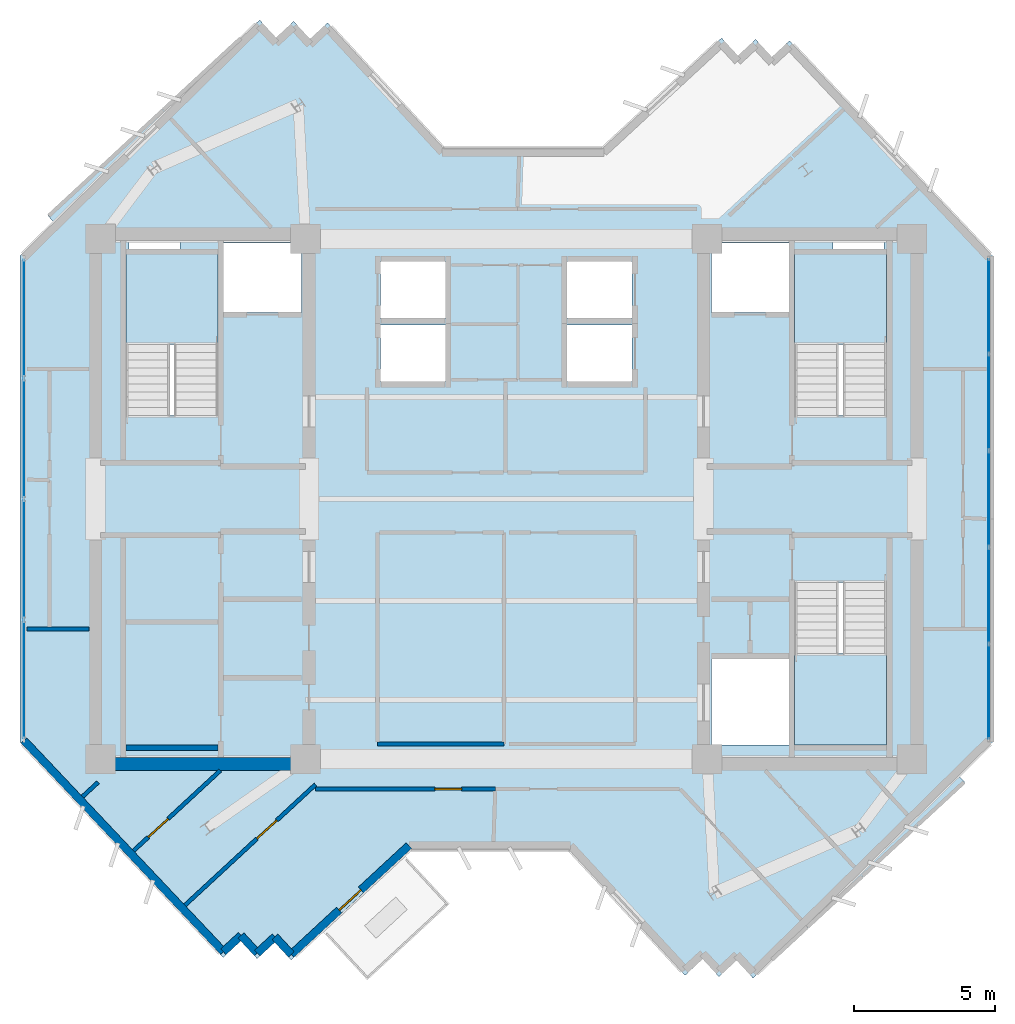
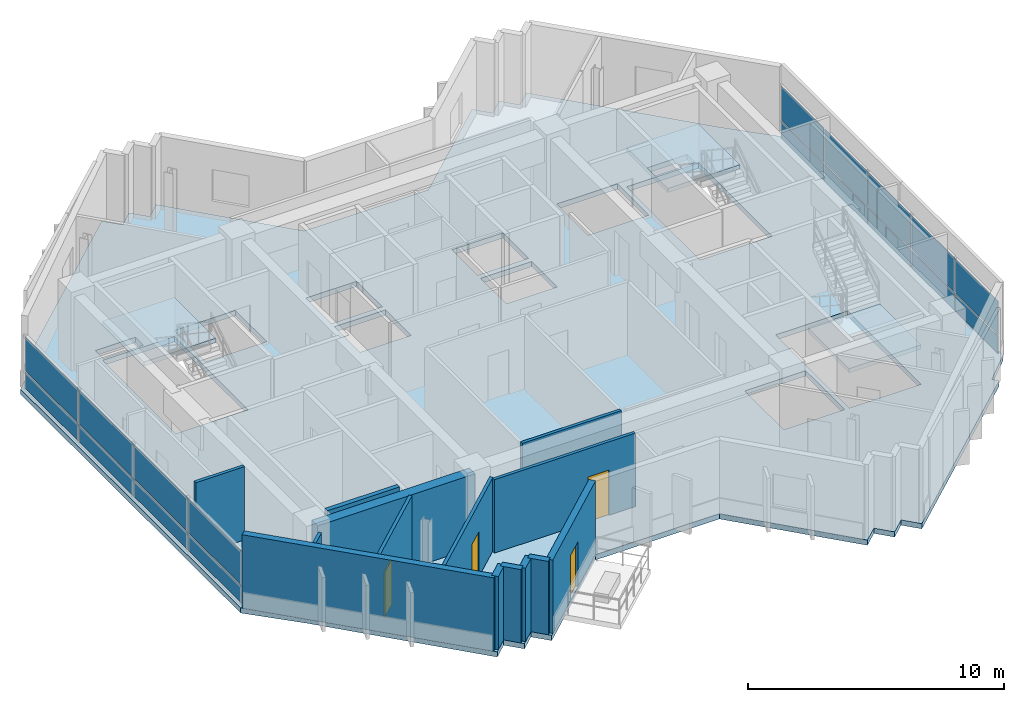
# One storey, part 3 of 9: 18 plates, 14 walls, 4 doors, 4 slabs, 4 openings, 5 elements without a shape of their own.
"""IFC4 building model written with IfcOpenShell, lengths in metres."""

from ifc_helpers import new_model, si_unit, direction, frame, frame_2d, origin, origin_2d, place, context, subcontext, project, spatial, polyline, rectangle, outline, extrude, source, transform, mapped, material, layer, layer_set, type_object, element, fill, aggregate, save


model = new_model("IFC4")

# Units and contexts
model_context = context("Model", 3, precision=1e-05, world=origin(), true_north=direction((0.0, 1.0)))
body_context = subcontext(model_context, "Body", "Model", "MODEL_VIEW")
ifc_project = project(units=[si_unit("LENGTHUNIT", "METRE"), si_unit("AREAUNIT", "SQUARE_METRE"), si_unit("VOLUMEUNIT", "CUBIC_METRE"), si_unit("PLANEANGLEUNIT", "RADIAN"), si_unit("MASSUNIT", "GRAM", prefix="KILO")], contexts=[model_context])

# Site, building, storey
site_placement = place(None, origin())
site = spatial("IfcSite", under=ifc_project, at=site_placement, CompositionType="ELEMENT")
building_placement = place(site_placement, origin())
building = spatial("IfcBuilding", under=site, at=building_placement, Name="Zahravan Cultural Tower", CompositionType="ELEMENT")
storey_placement = place(building_placement, frame((0.0, 0.0, 295.35009765625)))
storey = spatial("IfcBuildingStorey", under=building, at=storey_placement, Name="L71", CompositionType="ELEMENT", Elevation=295.35009765625)

# Stair, slab
ifc_material_1 = material(Name="Concrete C45/55", Category="concrete")
stair_type = type_object("IfcStairType", Name="STR-DL-1550-375", PredefinedType="HALF_TURN_STAIR", material=ifc_material_1)
stair_1_placement = place(storey_placement, origin())
stair_1 = element("IfcStair", 1, at=stair_1_placement, inside=storey, type_object=stair_type, Name="L71 West Core North Exit Stair ST-W1", PredefinedType="HALF_TURN_STAIR")
ifc_layer_1 = layer(ifc_material_1, 0.199951171875)
ifc_layer_set_1 = layer_set([ifc_layer_1], Name="Concrete C45/55")
slab_type_1 = type_object("IfcSlabType", Name="SL-STAIR-LND200", PredefinedType="LANDING", material=ifc_layer_set_1)
slab_1_placement = place(storey_placement, frame((0.0, 0.0, 1.6748046875)))
slab_1 = element("IfcSlab", 2, at=slab_1_placement, type_object=slab_type_1, Name="ST-W1 landing 1", PredefinedType="LANDING", context=body_context, shape_type="SweptSolid", body=[
    extrude(outline(polyline([(25.800048828125, 32.469970703125), (25.800048828125, 35.699951171875), (22.550048828125, 35.699951171875), (22.550048828125, 32.469970703125), (25.800048828125, 32.469970703125)])), origin(), (0.0, 0.0, 1.0), 0.2001953125),
])
aggregate(stair_1, [slab_1])

stair_2_placement = place(storey_placement, origin())
stair_2 = element("IfcStair", 3, at=stair_2_placement, inside=storey, type_object=stair_type, Name="L71 East Core North Exit Stair ST-E1", PredefinedType="HALF_TURN_STAIR")
slab_2_placement = place(storey_placement, frame((0.0, 0.0, 1.6748046875)))
slab_2 = element("IfcSlab", 4, at=slab_2_placement, type_object=slab_type_1, Name="ST-E1 landing 1", PredefinedType="LANDING", context=body_context, shape_type="SweptSolid", body=[
    extrude(outline(polyline([(49.449951171875, 32.469970703125), (49.449951171875, 35.699951171875), (46.199951171875, 35.699951171875), (46.199951171875, 32.469970703125), (49.449951171875, 32.469970703125)])), origin(), (0.0, 0.0, 1.0), 0.2001953125),
])
aggregate(stair_2, [slab_2])

stair_3_placement = place(storey_placement, origin())
stair_3 = element("IfcStair", 5, at=stair_3_placement, inside=storey, type_object=stair_type, Name="L71 East Core South Exit Stair ST-E2", PredefinedType="HALF_TURN_STAIR")
slab_3_placement = place(storey_placement, frame((0.0, 0.0, 1.6748046875)))
slab_3 = element("IfcSlab", 6, at=slab_3_placement, type_object=slab_type_1, Name="ST-E2 landing 1", PredefinedType="LANDING", context=body_context, shape_type="SweptSolid", body=[
    extrude(outline(polyline([(46.199951171875, 21.530029296875), (46.199951171875, 18.300048828125), (49.449951171875, 18.300048828125), (49.449951171875, 21.530029296875), (46.199951171875, 21.530029296875)])), origin(), (0.0, 0.0, 1.0), 0.2001953125),
])
aggregate(stair_3, [slab_3])

# Slab
ifc_material_2 = material(Name="Concrete C40/50", Category="concrete")
ifc_layer_2 = layer(ifc_material_2, 0.25)
ifc_layer_set_2 = layer_set([ifc_layer_2], Name="Concrete C40/50")
slab_type_2 = type_object("IfcSlabType", Name="SL-TYP-250", PredefinedType="FLOOR", material=ifc_layer_set_2)
slab_4_placement = place(storey_placement, frame((0.0, 0.0, -0.25)))
element("IfcSlab", 7, at=slab_4_placement, inside=storey, type_object=slab_type_2, Name="L71 Structural Floor Slab", PredefinedType="FLOOR", context=body_context, shape_type="SweptSolid", body=[
    extrude(outline(polyline([(39.391845703125, 39.39990234375), (33.79345703125, 39.39990234375), (29.6796875, 43.847900390625), (29.0556640625, 43.270751953125), (28.478515625, 43.894775390625), (27.8544921875, 43.3173828125), (27.27734375, 43.94140625), (19.789306640625, 37.015625), (19.994140625, 36.794189453125), (18.800048828125, 35.60009765625), (18.800048828125, 18.39990234375), (20.731689453125, 16.46826171875), (25.984375, 10.789306640625), (26.6083984375, 11.366455078125), (27.185546875, 10.742431640625), (27.8095703125, 11.319580078125), (28.38671875, 10.695556640625), (32.608154296875, 14.60009765625), (38.20654296875, 14.60009765625), (42.3203125, 10.152099609375), (42.9443359375, 10.729248046875), (43.521484375, 10.105224609375), (44.1455078125, 10.6826171875), (44.72265625, 10.05859375), (52.210693359375, 16.984375), (52.005859375, 17.205810546875), (53.199951171875, 18.39990234375), (53.199951171875, 35.60009765625), (51.268310546875, 37.53173828125), (46.015625, 43.210693359375), (45.3916015625, 42.633544921875), (44.814453125, 43.257568359375), (44.1904296875, 42.680419921875), (43.61328125, 43.304443359375), (39.391845703125, 39.39990234375)]), holes=[polyline([(22.550048828125, 29.949951171875), (22.550048828125, 35.699951171875), (25.800048828125, 35.699951171875), (25.800048828125, 29.949951171875), (22.550048828125, 29.949951171875)]), polyline([(46.199951171875, 29.949951171875), (46.199951171875, 35.699951171875), (49.449951171875, 35.699951171875), (49.449951171875, 29.949951171875), (46.199951171875, 29.949951171875)]), polyline([(46.199951171875, 18.300048828125), (46.199951171875, 24.050048828125), (49.449951171875, 24.050048828125), (49.449951171875, 18.300048828125), (46.199951171875, 18.300048828125)]), polyline([(26.0, 33.60009765625), (26.0, 36.050048828125), (28.75, 36.050048828125), (28.75, 33.60009765625), (26.0, 33.60009765625)]), polyline([(43.25, 33.60009765625), (43.25, 36.050048828125), (46.0, 36.050048828125), (46.0, 33.60009765625), (43.25, 33.60009765625)]), polyline([(43.25, 18.300048828125), (43.25, 21.35009765625), (46.0, 21.35009765625), (46.0, 18.300048828125), (43.25, 18.300048828125)]), polyline([(31.550048828125, 33.39990234375), (31.550048828125, 35.39990234375), (33.85009765625, 35.39990234375), (33.85009765625, 33.39990234375), (31.550048828125, 33.39990234375)]), polyline([(31.550048828125, 31.14990234375), (31.550048828125, 33.14990234375), (33.85009765625, 33.14990234375), (33.85009765625, 31.14990234375), (31.550048828125, 31.14990234375)]), polyline([(38.14990234375, 33.39990234375), (38.14990234375, 35.39990234375), (40.449951171875, 35.39990234375), (40.449951171875, 33.39990234375), (38.14990234375, 33.39990234375)]), polyline([(38.14990234375, 31.14990234375), (38.14990234375, 33.14990234375), (40.449951171875, 33.14990234375), (40.449951171875, 31.14990234375), (38.14990234375, 31.14990234375)]), polyline([(22.64990234375, 35.800048828125), (22.64990234375, 36.419921875), (24.449951171875, 36.419921875), (24.449951171875, 35.800048828125), (22.64990234375, 35.800048828125)]), polyline([(47.550048828125, 35.800048828125), (47.550048828125, 36.419921875), (49.35009765625, 36.419921875), (49.35009765625, 35.800048828125), (47.550048828125, 35.800048828125)])]), origin(), (0.0, 0.0, 1.0), 0.25),
])

# Curtain wall, plates
ifc_material_3 = material(Name="Anodised bronze-aluminium mullion", Category="aluminium")
ifc_layer_3 = layer(ifc_material_3, 0.1650390625)
ifc_layer_set_3 = layer_set([ifc_layer_3], Name="Anodised bronze-aluminium mullion")
curtain_wall_type_1 = type_object("IfcCurtainWallType", Name="CW-SYS-4", PredefinedType="USERDEFINED", material=ifc_layer_set_3)
curtain_wall_1_placement = place(storey_placement, origin())
curtain_wall_1 = element("IfcCurtainWall", 8, at=curtain_wall_1_placement, inside=storey, type_object=curtain_wall_type_1, Name="L71 Recessed Curtain Wall CW-4.1", ObjectType="RECESSED GLAZING", PredefinedType="USERDEFINED")
ifc_material_4 = material(Name="Low-E solar-control double glazing", Category="glass")
ifc_layer_4 = layer(ifc_material_4, 0.02587890625)
ifc_layer_set_4 = layer_set([ifc_layer_4], Name="Low-E solar-control double glazing")
plate_type_1 = type_object("IfcPlateType", Name="CWP-CW-4", PredefinedType="CURTAIN_PANEL", material=ifc_layer_set_4)
shared_shape_1 = source(origin(), body_context, "Body", "SweptSolid", [
    extrude(rectangle(XDim=3.3193359375, YDim=0.02587890625, at=origin_2d()), origin(), (0.0, 0.0, 1.0), 0.802490234375),
])
plate_1_placement = place(storey_placement, frame((53.06005859375, 33.8173828125, 0.06494140625), z_axis=(0.0, 0.0, 1.0), x_axis=(0.0, -1.0, 0.0)))
plate_1 = element("IfcPlate", 9, at=plate_1_placement, type_object=plate_type_1, Name="CW-4 panel 1.1", PredefinedType="CURTAIN_PANEL", context=body_context, shape_type="MappedRepresentation", body=[
    mapped(shared_shape_1, transform((0.0, 0.0, 0.0), x_axis=(1.0, 0.0, 0.0), y_axis=(0.0, 1.0, 0.0), z_axis=(0.0, 0.0, 1.0), scale=1.0)),
])
plate_2_placement = place(storey_placement, frame((53.06005859375, 20.1826171875, 0.06494140625), z_axis=(0.0, 0.0, 1.0), x_axis=(0.0, -1.0, 0.0)))
plate_2 = element("IfcPlate", 10, at=plate_2_placement, type_object=plate_type_1, Name="CW-4 panel 5.1", PredefinedType="CURTAIN_PANEL", context=body_context, shape_type="MappedRepresentation", body=[
    mapped(shared_shape_1, transform((0.0, 0.0, 0.0), x_axis=(1.0, 0.0, 0.0), y_axis=(0.0, 1.0, 0.0), z_axis=(0.0, 0.0, 1.0), scale=1.0)),
])
shared_shape_2 = source(origin(), body_context, "Body", "SweptSolid", [
    extrude(rectangle(XDim=3.3193359375, YDim=0.02587890625, at=origin_2d()), origin(), (0.0, 0.0, 1.0), 1.62255859375),
])
plate_3_placement = place(storey_placement, frame((53.06005859375, 33.8173828125, 0.932373046875), z_axis=(0.0, 0.0, 1.0), x_axis=(0.0, -1.0, 0.0)))
plate_3 = element("IfcPlate", 11, at=plate_3_placement, type_object=plate_type_1, Name="CW-4 panel 1.2", PredefinedType="CURTAIN_PANEL", context=body_context, shape_type="MappedRepresentation", body=[
    mapped(shared_shape_2, transform((0.0, 0.0, 0.0), x_axis=(1.0, 0.0, 0.0), y_axis=(0.0, 1.0, 0.0), z_axis=(0.0, 0.0, 1.0), scale=1.0)),
])
plate_4_placement = place(storey_placement, frame((53.06005859375, 20.1826171875, 0.932373046875), z_axis=(0.0, 0.0, 1.0), x_axis=(0.0, -1.0, 0.0)))
plate_4 = element("IfcPlate", 12, at=plate_4_placement, type_object=plate_type_1, Name="CW-4 panel 5.2", PredefinedType="CURTAIN_PANEL", context=body_context, shape_type="MappedRepresentation", body=[
    mapped(shared_shape_2, transform((0.0, 0.0, 0.0), x_axis=(1.0, 0.0, 0.0), y_axis=(0.0, 1.0, 0.0), z_axis=(0.0, 0.0, 1.0), scale=1.0)),
])
shared_shape_3 = source(origin(), body_context, "Body", "SweptSolid", [
    extrude(rectangle(XDim=3.351806640625, YDim=0.02587890625, at=origin_2d()), origin(), (0.0, 0.0, 1.0), 0.802490234375),
])
plate_5_placement = place(storey_placement, frame((53.06005859375, 30.416748046875, 0.06494140625), z_axis=(0.0, 0.0, 1.0), x_axis=(0.0, -1.0, 0.0)))
plate_5 = element("IfcPlate", 13, at=plate_5_placement, type_object=plate_type_1, Name="CW-4 panel 2.1", PredefinedType="CURTAIN_PANEL", context=body_context, shape_type="MappedRepresentation", body=[
    mapped(shared_shape_3, transform((0.0, 0.0, 0.0), x_axis=(1.0, 0.0, 0.0), y_axis=(0.0, 1.0, 0.0), z_axis=(0.0, 0.0, 1.0), scale=1.0)),
])
plate_6_placement = place(storey_placement, frame((53.06005859375, 27.0, 0.06494140625), z_axis=(0.0, 0.0, 1.0), x_axis=(0.0, -1.0, 0.0)))
plate_6 = element("IfcPlate", 14, at=plate_6_placement, type_object=plate_type_1, Name="CW-4 panel 3.1", PredefinedType="CURTAIN_PANEL", context=body_context, shape_type="MappedRepresentation", body=[
    mapped(shared_shape_3, transform((0.0, 0.0, 0.0), x_axis=(1.0, 0.0, 0.0), y_axis=(0.0, 1.0, 0.0), z_axis=(0.0, 0.0, 1.0), scale=1.0)),
])
plate_7_placement = place(storey_placement, frame((53.06005859375, 23.583251953125, 0.06494140625), z_axis=(0.0, 0.0, 1.0), x_axis=(0.0, -1.0, 0.0)))
plate_7 = element("IfcPlate", 15, at=plate_7_placement, type_object=plate_type_1, Name="CW-4 panel 4.1", PredefinedType="CURTAIN_PANEL", context=body_context, shape_type="MappedRepresentation", body=[
    mapped(shared_shape_3, transform((0.0, 0.0, 0.0), x_axis=(1.0, 0.0, 0.0), y_axis=(0.0, 1.0, 0.0), z_axis=(0.0, 0.0, 1.0), scale=1.0)),
])
shared_shape_4 = source(origin(), body_context, "Body", "SweptSolid", [
    extrude(rectangle(XDim=3.351806640625, YDim=0.02587890625, at=origin_2d()), origin(), (0.0, 0.0, 1.0), 1.62255859375),
])
plate_8_placement = place(storey_placement, frame((53.06005859375, 30.416748046875, 0.932373046875), z_axis=(0.0, 0.0, 1.0), x_axis=(0.0, -1.0, 0.0)))
plate_8 = element("IfcPlate", 16, at=plate_8_placement, type_object=plate_type_1, Name="CW-4 panel 2.2", PredefinedType="CURTAIN_PANEL", context=body_context, shape_type="MappedRepresentation", body=[
    mapped(shared_shape_4, transform((0.0, 0.0, 0.0), x_axis=(1.0, 0.0, 0.0), y_axis=(0.0, 1.0, 0.0), z_axis=(0.0, 0.0, 1.0), scale=1.0)),
])
plate_9_placement = place(storey_placement, frame((53.06005859375, 27.0, 0.932373046875), z_axis=(0.0, 0.0, 1.0), x_axis=(0.0, -1.0, 0.0)))
plate_9 = element("IfcPlate", 17, at=plate_9_placement, type_object=plate_type_1, Name="CW-4 panel 3.2", PredefinedType="CURTAIN_PANEL", context=body_context, shape_type="MappedRepresentation", body=[
    mapped(shared_shape_4, transform((0.0, 0.0, 0.0), x_axis=(1.0, 0.0, 0.0), y_axis=(0.0, 1.0, 0.0), z_axis=(0.0, 0.0, 1.0), scale=1.0)),
])
plate_10_placement = place(storey_placement, frame((53.06005859375, 23.583251953125, 0.932373046875), z_axis=(0.0, 0.0, 1.0), x_axis=(0.0, -1.0, 0.0)))
plate_10 = element("IfcPlate", 18, at=plate_10_placement, type_object=plate_type_1, Name="CW-4 panel 4.2", PredefinedType="CURTAIN_PANEL", context=body_context, shape_type="MappedRepresentation", body=[
    mapped(shared_shape_4, transform((0.0, 0.0, 0.0), x_axis=(1.0, 0.0, 0.0), y_axis=(0.0, 1.0, 0.0), z_axis=(0.0, 0.0, 1.0), scale=1.0)),
])
aggregate(curtain_wall_1, [plate_1, plate_3, plate_5, plate_8, plate_6, plate_9, plate_7, plate_10, plate_2, plate_4])

ifc_layer_5 = layer(ifc_material_3, 0.219970703125)
ifc_layer_set_5 = layer_set([ifc_layer_5], Name="Anodised bronze-aluminium mullion")
curtain_wall_type_2 = type_object("IfcCurtainWallType", Name="CW-SYS-1", PredefinedType="USERDEFINED", material=ifc_layer_set_5)
curtain_wall_2_placement = place(storey_placement, origin())
curtain_wall_2 = element("IfcCurtainWall", 19, at=curtain_wall_2_placement, inside=storey, type_object=curtain_wall_type_2, Name="L71 Recessed Curtain Wall CW-1.2", ObjectType="RECESSED GLAZING", PredefinedType="USERDEFINED")
ifc_layer_6 = layer(ifc_material_4, 0.031982421875)
ifc_layer_set_6 = layer_set([ifc_layer_6], Name="Low-E solar-control double glazing")
plate_type_2 = type_object("IfcPlateType", Name="CWP-CW-1", PredefinedType="CURTAIN_PANEL", material=ifc_layer_set_6)
shared_shape_5 = source(origin(), body_context, "Body", "SweptSolid", [
    extrude(rectangle(XDim=4.15087890625, YDim=0.031982421875, at=origin_2d()), origin(), (0.0, 0.0, 1.0), 0.780029296875),
])
plate_11_placement = place(storey_placement, frame((18.93994140625, 20.613525390625, 0.080078125), z_axis=(0.0, 0.0, 1.0), x_axis=(0.0, 1.0, 0.0)))
plate_11 = element("IfcPlate", 20, at=plate_11_placement, type_object=plate_type_2, Name="CW-1 panel 1.1", PredefinedType="CURTAIN_PANEL", context=body_context, shape_type="MappedRepresentation", body=[
    mapped(shared_shape_5, transform((0.0, 0.0, 0.0), x_axis=(1.0, 0.0, 0.0), y_axis=(0.0, 1.0, 0.0), z_axis=(0.0, 0.0, 1.0), scale=1.0)),
])
plate_12_placement = place(storey_placement, frame((18.93994140625, 33.386474609375, 0.080078125), z_axis=(0.0, 0.0, 1.0), x_axis=(0.0, 1.0, 0.0)))
plate_12 = element("IfcPlate", 21, at=plate_12_placement, type_object=plate_type_2, Name="CW-1 panel 4.1", PredefinedType="CURTAIN_PANEL", context=body_context, shape_type="MappedRepresentation", body=[
    mapped(shared_shape_5, transform((0.0, 0.0, 0.0), x_axis=(1.0, 0.0, 0.0), y_axis=(0.0, 1.0, 0.0), z_axis=(0.0, 0.0, 1.0), scale=1.0)),
])
shared_shape_6 = source(origin(), body_context, "Body", "SweptSolid", [
    extrude(rectangle(XDim=4.15087890625, YDim=0.031982421875, at=origin_2d()), origin(), (0.0, 0.0, 1.0), 1.60009765625),
])
plate_13_placement = place(storey_placement, frame((18.93994140625, 20.613525390625, 0.93994140625), z_axis=(0.0, 0.0, 1.0), x_axis=(0.0, 1.0, 0.0)))
plate_13 = element("IfcPlate", 22, at=plate_13_placement, type_object=plate_type_2, Name="CW-1 panel 1.2", PredefinedType="CURTAIN_PANEL", context=body_context, shape_type="MappedRepresentation", body=[
    mapped(shared_shape_6, transform((0.0, 0.0, 0.0), x_axis=(1.0, 0.0, 0.0), y_axis=(0.0, 1.0, 0.0), z_axis=(0.0, 0.0, 1.0), scale=1.0)),
])
plate_14_placement = place(storey_placement, frame((18.93994140625, 33.386474609375, 0.93994140625), z_axis=(0.0, 0.0, 1.0), x_axis=(0.0, 1.0, 0.0)))
plate_14 = element("IfcPlate", 23, at=plate_14_placement, type_object=plate_type_2, Name="CW-1 panel 4.2", PredefinedType="CURTAIN_PANEL", context=body_context, shape_type="MappedRepresentation", body=[
    mapped(shared_shape_6, transform((0.0, 0.0, 0.0), x_axis=(1.0, 0.0, 0.0), y_axis=(0.0, 1.0, 0.0), z_axis=(0.0, 0.0, 1.0), scale=1.0)),
])
shared_shape_7 = source(origin(), body_context, "Body", "SweptSolid", [
    extrude(rectangle(XDim=4.19091796875, YDim=0.031982421875, at=origin_2d()), origin(), (0.0, 0.0, 1.0), 0.780029296875),
])
plate_15_placement = place(storey_placement, frame((18.93994140625, 24.864501953125, 0.080078125), z_axis=(0.0, 0.0, 1.0), x_axis=(0.0, 1.0, 0.0)))
plate_15 = element("IfcPlate", 24, at=plate_15_placement, type_object=plate_type_2, Name="CW-1 panel 2.1", PredefinedType="CURTAIN_PANEL", context=body_context, shape_type="MappedRepresentation", body=[
    mapped(shared_shape_7, transform((0.0, 0.0, 0.0), x_axis=(1.0, 0.0, 0.0), y_axis=(0.0, 1.0, 0.0), z_axis=(0.0, 0.0, 1.0), scale=1.0)),
])
plate_16_placement = place(storey_placement, frame((18.93994140625, 29.135498046875, 0.080078125), z_axis=(0.0, 0.0, 1.0), x_axis=(0.0, 1.0, 0.0)))
plate_16 = element("IfcPlate", 25, at=plate_16_placement, type_object=plate_type_2, Name="CW-1 panel 3.1", PredefinedType="CURTAIN_PANEL", context=body_context, shape_type="MappedRepresentation", body=[
    mapped(shared_shape_7, transform((0.0, 0.0, 0.0), x_axis=(1.0, 0.0, 0.0), y_axis=(0.0, 1.0, 0.0), z_axis=(0.0, 0.0, 1.0), scale=1.0)),
])
shared_shape_8 = source(origin(), body_context, "Body", "SweptSolid", [
    extrude(rectangle(XDim=4.19091796875, YDim=0.031982421875, at=origin_2d()), origin(), (0.0, 0.0, 1.0), 1.60009765625),
])
plate_17_placement = place(storey_placement, frame((18.93994140625, 24.864501953125, 0.93994140625), z_axis=(0.0, 0.0, 1.0), x_axis=(0.0, 1.0, 0.0)))
plate_17 = element("IfcPlate", 26, at=plate_17_placement, type_object=plate_type_2, Name="CW-1 panel 2.2", PredefinedType="CURTAIN_PANEL", context=body_context, shape_type="MappedRepresentation", body=[
    mapped(shared_shape_8, transform((0.0, 0.0, 0.0), x_axis=(1.0, 0.0, 0.0), y_axis=(0.0, 1.0, 0.0), z_axis=(0.0, 0.0, 1.0), scale=1.0)),
])
plate_18_placement = place(storey_placement, frame((18.93994140625, 29.135498046875, 0.93994140625), z_axis=(0.0, 0.0, 1.0), x_axis=(0.0, 1.0, 0.0)))
plate_18 = element("IfcPlate", 27, at=plate_18_placement, type_object=plate_type_2, Name="CW-1 panel 3.2", PredefinedType="CURTAIN_PANEL", context=body_context, shape_type="MappedRepresentation", body=[
    mapped(shared_shape_8, transform((0.0, 0.0, 0.0), x_axis=(1.0, 0.0, 0.0), y_axis=(0.0, 1.0, 0.0), z_axis=(0.0, 0.0, 1.0), scale=1.0)),
])
aggregate(curtain_wall_2, [plate_11, plate_13, plate_15, plate_17, plate_16, plate_18, plate_12, plate_14])

# Wall, opening, door
ifc_material_5 = material(Name="Precast concrete C40/50", Category="concrete")
ifc_layer_7 = layer(ifc_material_5, 0.280029296875)
ifc_layer_set_7 = layer_set([ifc_layer_7], Name="Precast concrete C40/50")
wall_type_1 = type_object("IfcWallType", Name="EW-TC-280", PredefinedType="SOLIDWALL", material=ifc_layer_set_7)
wall_1_placement = place(storey_placement, frame((32.55322265625, 14.739990234375, 0.0), z_axis=(0.0, 0.0, 1.0), x_axis=(-0.734109106874, -0.679031530346, 0.0)))
wall_1 = element("IfcWall", 28, at=wall_1_placement, inside=storey, type_object=wall_type_1, Name="L71 Exterior Masonry Frame Wall 14", PredefinedType="SOLIDWALL", context=body_context, shape_type="SweptSolid", body=[
    extrude(rectangle(XDim=5.6650390625, YDim=0.280029296875, at=frame_2d((2.83251953125, 0.0))), origin(), (0.0, 0.0, 1.0), 3.5),
])
opening_1_placement = place(wall_1_placement, frame((2.306884765625, 0.0, 0.0)))
opening_1 = element("IfcOpeningElement", 29, at=opening_1_placement, cuts=wall_1, Name="Opening D-L71-TR-SW", PredefinedType="OPENING", context=body_context, shape_type="SweptSolid", body=[
    extrude(rectangle(XDim=1.050048828125, YDim=2.14990234375, at=frame_2d((0.52490234375, 1.074951171875))), frame((0.0, 0.14990234375, 0.0), z_axis=(0.0, -1.0, 0.0), x_axis=(1.0, 0.0, 0.0)), (0.0, 0.0, 1.0), 0.300048828125),
])
door_type_1 = type_object("IfcDoorType", Name="DR-TERR-1050", OperationType="NOTDEFINED", PredefinedType="DOOR", material=ifc_material_3)
shared_shape_9 = source(origin(), body_context, "Body", "SweptSolid", [
    extrude(rectangle(XDim=1.050048828125, YDim=2.14990234375, at=frame_2d((0.52490234375, 1.074951171875))), frame((0.0, 0.02490234375, 0.0), z_axis=(0.0, -1.0, 0.0), x_axis=(1.0, 0.0, 0.0)), (0.0, 0.0, 1.0), 0.050048828125),
])
door_1_placement = place(opening_1_placement, origin())
door_1 = element("IfcDoor", 30, at=door_1_placement, inside=storey, type_object=door_type_1, Name="L71 Terrace Access Door SW", OperationType="SINGLE_SWING_RIGHT", OverallHeight=2.14990234375, OverallWidth=1.050048828125, PredefinedType="DOOR", context=body_context, shape_type="MappedRepresentation", body=[
    mapped(shared_shape_9, transform((0.0, 0.0, 0.0), x_axis=(1.0, 0.0, 0.0), y_axis=(0.0, 1.0, 0.0), z_axis=(0.0, 0.0, 1.0), scale=1.0)),
])
fill(opening_1, door_1)

ifc_material_6 = material(Name="Gypsum plasterboard partition")
ifc_layer_8 = layer(ifc_material_6, 0.139892578125)
ifc_layer_set_8 = layer_set([ifc_layer_8], Name="Gypsum plasterboard partition")
wall_type_2 = type_object("IfcWallType", Name="W-PART-140", PredefinedType="PARTITIONING", material=ifc_layer_set_8)
wall_2_placement = place(storey_placement, frame((25.880615234375, 17.39501953125, 0.0), z_axis=(0.0, 0.0, 1.0), x_axis=(-0.734127876216, -0.679011238024, 0.0)))
wall_2 = element("IfcWall", 31, at=wall_2_placement, inside=storey, type_object=wall_type_2, Name="L71 Interior Wall 050", PredefinedType="PARTITIONING", context=body_context, shape_type="SweptSolid", body=[
    extrude(rectangle(XDim=4.172607421875, YDim=0.139892578125, at=frame_2d((2.08642578125, 0.0))), origin(), (0.0, 0.0, 1.0), 3.5),
])
opening_2_placement = place(wall_2_placement, frame((2.513671875, 0.0, 0.0)))
opening_2 = element("IfcOpeningElement", 32, at=opening_2_placement, cuts=wall_2, Name="Opening D-L71-33", PredefinedType="OPENING", context=body_context, shape_type="SweptSolid", body=[
    extrude(rectangle(XDim=0.949951171875, YDim=2.14990234375, at=frame_2d((0.47509765625, 1.074951171875))), frame((0.0, 0.079833984375, 0.0), z_axis=(0.0, -1.0, 0.0), x_axis=(1.0, 0.0, 0.0)), (0.0, 0.0, 1.0), 0.159912109375),
])
door_type_2 = type_object("IfcDoorType", Name="DR-ROOM-950", OperationType="NOTDEFINED", PredefinedType="DOOR", material=ifc_material_3)
shared_shape_10 = source(origin(), body_context, "Body", "SweptSolid", [
    extrude(rectangle(XDim=0.949951171875, YDim=2.14990234375, at=frame_2d((0.47509765625, 1.074951171875))), frame((0.0, 0.02490234375, 0.0), z_axis=(0.0, -1.0, 0.0), x_axis=(1.0, 0.0, 0.0)), (0.0, 0.0, 1.0), 0.050048828125),
])
door_2_placement = place(opening_2_placement, origin())
door_2 = element("IfcDoor", 33, at=door_2_placement, inside=storey, type_object=door_type_2, Name="L71 Door D-L71-33", OperationType="SINGLE_SWING_LEFT", OverallHeight=2.14990234375, OverallWidth=0.949951171875, PredefinedType="DOOR", context=body_context, shape_type="MappedRepresentation", body=[
    mapped(shared_shape_10, transform((0.0, 0.0, 0.0), x_axis=(1.0, 0.0, 0.0), y_axis=(0.0, 1.0, 0.0), z_axis=(0.0, 0.0, 1.0), scale=1.0)),
])
fill(opening_2, door_2)

wall_3_placement = place(storey_placement, frame((29.25, 16.90185546875, 0.0), z_axis=(0.0, 0.0, 1.0), x_axis=(-0.734113479195, -0.679026803347, 0.0)))
wall_3 = element("IfcWall", 34, at=wall_3_placement, inside=storey, type_object=wall_type_2, Name="L71 Interior Wall 055", PredefinedType="PARTITIONING", context=body_context, shape_type="SweptSolid", body=[
    extrude(rectangle(XDim=6.284423828125, YDim=0.139892578125, at=frame_2d((3.14208984375, 0.0))), origin(), (0.0, 0.0, 1.0), 3.5),
])
opening_3_placement = place(wall_3_placement, frame((1.8671875, 0.0, 0.0)))
opening_3 = element("IfcOpeningElement", 35, at=opening_3_placement, cuts=wall_3, Name="Opening D-L71-30", PredefinedType="OPENING", context=body_context, shape_type="SweptSolid", body=[
    extrude(rectangle(XDim=0.949951171875, YDim=2.14990234375, at=frame_2d((0.47509765625, 1.074951171875))), frame((0.0, 0.079833984375, 0.0), z_axis=(0.0, -1.0, 0.0), x_axis=(1.0, 0.0, 0.0)), (0.0, 0.0, 1.0), 0.159912109375),
])
door_3_placement = place(opening_3_placement, origin())
door_3 = element("IfcDoor", 36, at=door_3_placement, inside=storey, type_object=door_type_2, Name="L71 Door D-L71-30", OperationType="SINGLE_SWING_RIGHT", OverallHeight=2.14990234375, OverallWidth=0.949951171875, PredefinedType="DOOR", context=body_context, shape_type="MappedRepresentation", body=[
    mapped(shared_shape_10, transform((0.0, 0.0, 0.0), x_axis=(1.0, 0.0, 0.0), y_axis=(0.0, 1.0, 0.0), z_axis=(0.0, 0.0, 1.0), scale=1.0)),
])
fill(opening_3, door_3)

wall_4_placement = place(storey_placement, frame((29.255859375, 16.739990234375, 0.0), z_axis=(0.0, 0.0, 1.0), x_axis=(1.0, 0.0, 0.0)))
wall_4 = element("IfcWall", 37, at=wall_4_placement, inside=storey, type_object=wall_type_2, Name="L71 Interior Wall 088", PredefinedType="PARTITIONING", context=body_context, shape_type="SweptSolid", body=[
    extrude(rectangle(XDim=6.35400390625, YDim=0.139892578125, at=frame_2d((3.177001953125, 0.0))), origin(), (0.0, 0.0, 1.0), 3.5),
])
opening_4_placement = place(wall_4_placement, frame((4.215087890625, 0.0, 0.0)))
opening_4 = element("IfcOpeningElement", 38, at=opening_4_placement, cuts=wall_4, Name="Opening D-L71-25", PredefinedType="OPENING", context=body_context, shape_type="SweptSolid", body=[
    extrude(rectangle(XDim=0.949951171875, YDim=2.14990234375, at=frame_2d((0.47509765625, 1.074951171875))), frame((0.0, 0.079833984375, 0.0), z_axis=(0.0, -1.0, 0.0), x_axis=(1.0, 0.0, 0.0)), (0.0, 0.0, 1.0), 0.159912109375),
])
door_4_placement = place(opening_4_placement, origin())
door_4 = element("IfcDoor", 39, at=door_4_placement, inside=storey, type_object=door_type_2, Name="L71 Door D-L71-25", OperationType="SINGLE_SWING_LEFT", OverallHeight=2.14990234375, OverallWidth=0.949951171875, PredefinedType="DOOR", context=body_context, shape_type="MappedRepresentation", body=[
    mapped(shared_shape_10, transform((0.0, 0.0, 0.0), x_axis=(1.0, 0.0, 0.0), y_axis=(0.0, 1.0, 0.0), z_axis=(0.0, 0.0, 1.0), scale=1.0)),
])
fill(opening_4, door_4)

# Walls
ifc_material_7 = material(Name="Concrete C50/60", Category="concrete")
ifc_layer_9 = layer(ifc_material_7, 0.449951171875)
ifc_layer_set_9 = layer_set([ifc_layer_9], Name="Concrete C50/60")
wall_type_3 = type_object("IfcWallType", Name="CW-SHEAR-450-C50", PredefinedType="SHEAR", material=ifc_layer_set_9)
shared_shape_11 = source(origin(), body_context, "Body", "SweptSolid", [
    extrude(rectangle(XDim=7.10009765625, YDim=0.449951171875, at=frame_2d((3.550048828125, 0.0))), origin(), (0.0, 0.0, 1.0), 3.5),
])
wall_5_placement = place(storey_placement, frame((21.699951171875, 17.625, 0.0), z_axis=(0.0, 0.0, 1.0), x_axis=(1.0, 0.0, 0.0)))
element("IfcWall", 40, at=wall_5_placement, inside=storey, type_object=wall_type_3, Name="L71 Core Shear Wall CW-W-S-L71", PredefinedType="SHEAR", context=body_context, shape_type="MappedRepresentation", body=[
    mapped(shared_shape_11, transform((0.0, 0.0, 0.0), x_axis=(1.0, 0.0, 0.0), y_axis=(0.0, 1.0, 0.0), z_axis=(0.0, 0.0, 1.0), scale=1.0)),
])
shared_shape_12 = source(origin(), body_context, "Body", "SweptSolid", [
    extrude(rectangle(XDim=0.85009765625, YDim=0.280029296875, at=frame_2d((0.425048828125, 0.0))), origin(), (0.0, 0.0, 1.0), 3.5),
])
for number, where, z_axis, x_axis, name in (
    (41, (28.39453125, 10.893310546875, 0.0), (0.0, 0.0, 1.0), (-0.67899554472, 0.734142390991, 0.0), "L71 Exterior Masonry Frame Wall 15"),
    (42, (27.8173828125, 11.517333984375, 0.0), (0.0, 0.0, 1.0), (-0.734142390991, -0.67899554472, 0.0), "L71 Exterior Masonry Frame Wall 16"),
    (43, (27.193359375, 10.940185546875, 0.0), (0.0, 0.0, 1.0), (-0.67899554472, 0.734142390991, 0.0), "L71 Exterior Masonry Frame Wall 17"),
    (44, (26.6162109375, 11.564208984375, 0.0), (0.0, 0.0, 1.0), (-0.734142390991, -0.67899554472, 0.0), "L71 Exterior Masonry Frame Wall 18"),
):
    element("IfcWall", number, at=place(storey_placement, frame(where, z_axis=z_axis, x_axis=x_axis)), inside=storey, type_object=wall_type_1, Name=name, PredefinedType="SOLIDWALL", context=body_context, shape_type="MappedRepresentation", body=[
        mapped(shared_shape_12, transform((0.0, 0.0, 0.0), x_axis=(1.0, 0.0, 0.0), y_axis=(0.0, 1.0, 0.0), z_axis=(0.0, 0.0, 1.0), scale=1.0)),
    ])
shared_shape_13 = source(origin(), body_context, "Body", "SweptSolid", [
    extrude(rectangle(XDim=10.273681640625, YDim=0.280029296875, at=frame_2d((5.13671875, 0.0))), origin(), (0.0, 0.0, 1.0), 3.5),
])
wall_6_placement = place(storey_placement, frame((25.9921875, 10.987060546875, 0.0), z_axis=(0.0, 0.0, 1.0), x_axis=(-0.68643580465, 0.727190405667, 0.0)))
element("IfcWall", 45, at=wall_6_placement, inside=storey, type_object=wall_type_1, Name="L71 Exterior Masonry Frame Wall 19", PredefinedType="SOLIDWALL", context=body_context, shape_type="MappedRepresentation", body=[
    mapped(shared_shape_13, transform((0.0, 0.0, 0.0), x_axis=(1.0, 0.0, 0.0), y_axis=(0.0, 1.0, 0.0), z_axis=(0.0, 0.0, 1.0), scale=1.0)),
])
ifc_layer_10 = layer(ifc_material_1, 0.199951171875)
ifc_layer_set_10 = layer_set([ifc_layer_10], Name="Concrete C45/55")
wall_type_4 = type_object("IfcWallType", Name="W-SHAFT-200", PredefinedType="SOLIDWALL", material=ifc_layer_set_10)
shared_shape_14 = source(origin(), body_context, "Body", "SweptSolid", [
    extrude(rectangle(XDim=3.25, YDim=0.199951171875, at=frame_2d((1.625, 0.0))), origin(), (0.0, 0.0, 1.0), 3.5),
])
wall_7_placement = place(storey_placement, frame((22.550048828125, 18.199951171875, 0.0), z_axis=(0.0, 0.0, 1.0), x_axis=(1.0, 0.0, 0.0)))
element("IfcWall", 46, at=wall_7_placement, inside=storey, type_object=wall_type_4, Name="L71 Interior Wall 019", PredefinedType="SOLIDWALL", context=body_context, shape_type="MappedRepresentation", body=[
    mapped(shared_shape_14, transform((0.0, 0.0, 0.0), x_axis=(1.0, 0.0, 0.0), y_axis=(0.0, 1.0, 0.0), z_axis=(0.0, 0.0, 1.0), scale=1.0)),
])
shared_shape_15 = source(origin(), body_context, "Body", "SweptSolid", [
    extrude(rectangle(XDim=4.469970703125, YDim=0.139892578125, at=frame_2d((2.23486328125, 0.0))), origin(), (0.0, 0.0, 1.0), 3.5),
])
wall_8_placement = place(storey_placement, frame((35.909912109375, 18.340087890625, 0.0), z_axis=(0.0, 0.0, 1.0), x_axis=(-1.0, 0.0, 0.0)))
element("IfcWall", 47, at=wall_8_placement, inside=storey, type_object=wall_type_2, Name="L71 Interior Wall 081", PredefinedType="PARTITIONING", context=body_context, shape_type="MappedRepresentation", body=[
    mapped(shared_shape_15, transform((0.0, 0.0, 0.0), x_axis=(1.0, 0.0, 0.0), y_axis=(0.0, 1.0, 0.0), z_axis=(0.0, 0.0, 1.0), scale=1.0)),
])
shared_shape_16 = source(origin(), body_context, "Body", "SweptSolid", [
    extrude(rectangle(XDim=0.744873046875, YDim=0.139892578125, at=frame_2d((0.37255859375, 0.0))), origin(), (0.0, 0.0, 1.0), 3.5),
])
wall_9_placement = place(storey_placement, frame((21.01171875, 16.474365234375, 0.0), z_axis=(0.0, 0.0, 1.0), x_axis=(0.734262819455, 0.678865312095, 0.0)))
element("IfcWall", 48, at=wall_9_placement, inside=storey, type_object=wall_type_2, Name="L71 Interior Wall 051", PredefinedType="PARTITIONING", context=body_context, shape_type="MappedRepresentation", body=[
    mapped(shared_shape_16, transform((0.0, 0.0, 0.0), x_axis=(1.0, 0.0, 0.0), y_axis=(0.0, 1.0, 0.0), z_axis=(0.0, 0.0, 1.0), scale=1.0)),
])
shared_shape_17 = source(origin(), body_context, "Body", "SweptSolid", [
    extrude(rectangle(XDim=2.195068359375, YDim=0.139892578125, at=frame_2d((1.09765625, 0.0))), origin(), (0.0, 0.0, 1.0), 3.5),
])
wall_10_placement = place(storey_placement, frame((19.050048828125, 22.39990234375, 0.0), z_axis=(0.0, 0.0, 1.0), x_axis=(1.0, 0.0, 0.0)))
element("IfcWall", 49, at=wall_10_placement, inside=storey, type_object=wall_type_2, Name="L71 Interior Wall 067", PredefinedType="PARTITIONING", context=body_context, shape_type="MappedRepresentation", body=[
    mapped(shared_shape_17, transform((0.0, 0.0, 0.0), x_axis=(1.0, 0.0, 0.0), y_axis=(0.0, 1.0, 0.0), z_axis=(0.0, 0.0, 1.0), scale=1.0)),
])

save(model, "model.ifc")
